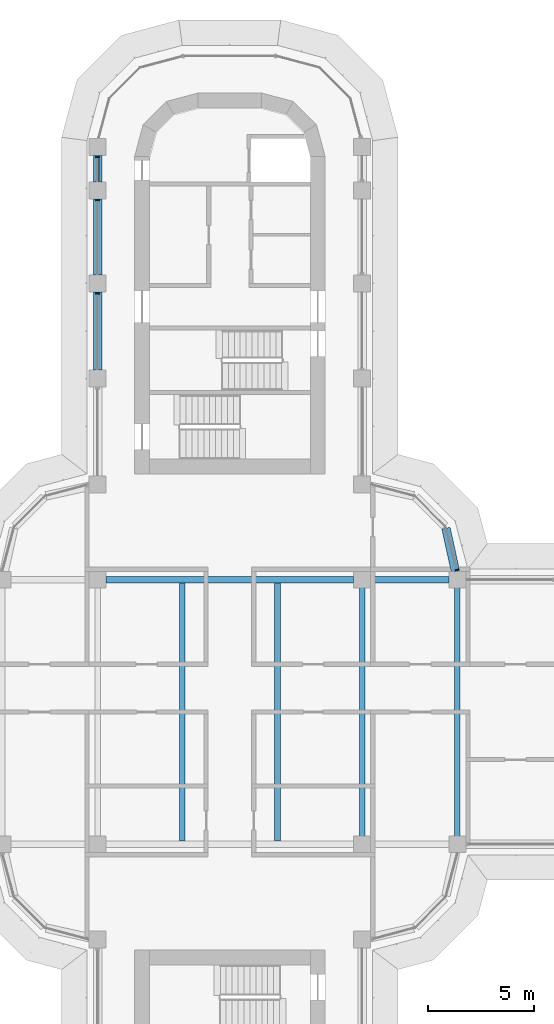
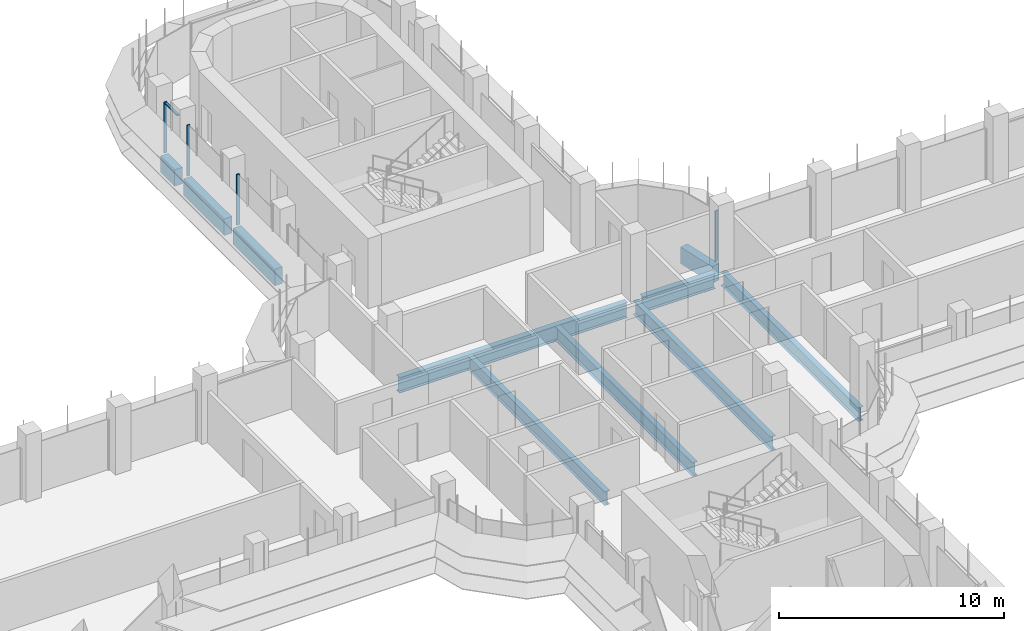
# One storey, part 7 of 19: 10 beams, 5 members, 2 elements without a shape of their own.
"""IFC4 building model written with IfcOpenShell, lengths in metres."""

from ifc_helpers import new_model, si_unit, direction, frame, origin, origin_2d, place, context, subcontext, project, spatial, polyline, rectangle, i_section, outline, extrude, source, transform, mapped, material, material_profile, profile_set, type_object, element, aggregate, save


model = new_model("IFC4")

# Units and contexts
model_context = context("Model", 3, precision=1e-05, world=origin(), true_north=direction((0.0, 1.0)))
body_context = subcontext(model_context, "Body", "Model", "MODEL_VIEW")
ifc_project = project(units=[si_unit("LENGTHUNIT", "METRE"), si_unit("AREAUNIT", "SQUARE_METRE"), si_unit("VOLUMEUNIT", "CUBIC_METRE"), si_unit("PLANEANGLEUNIT", "RADIAN"), si_unit("MASSUNIT", "GRAM", prefix="KILO")], contexts=[model_context])

# Site, building, storey
site_placement = place(None, origin())
site = spatial("IfcSite", under=ifc_project, at=site_placement, CompositionType="ELEMENT")
building_placement = place(site_placement, origin())
building = spatial("IfcBuilding", under=site, at=building_placement, Name="Zarbagh Exchange Tower", CompositionType="ELEMENT")
storey_placement = place(building_placement, frame((0.0, 0.0, 182.800048828125)))
storey = spatial("IfcBuildingStorey", under=building, at=storey_placement, Name="L44", CompositionType="ELEMENT", Elevation=182.800048828125)

# Beams
ifc_material_1 = material(Name="Steel ASTM A992 Gr 50", Category="steel")
ifc_material_profile_1 = material_profile(ifc_material_1, i_section(OverallWidth=0.26416015625, OverallDepth=0.749267578125, WebThickness=0.011962890625, FlangeThickness=0.015380859375, at=origin_2d()), Name="W30X90")
ifc_profile_set_1 = profile_set([ifc_material_profile_1], Name="Steel ASTM A992 Gr 50")
beam_type_1 = type_object("IfcBeamType", Name="Floor beam W30X90", PredefinedType="BEAM", material=ifc_profile_set_1)
for number, where, z_axis, x_axis, name in (
    (1, (-2.25, -6.10400390625, -0.524658203125), (0.0, 1.0, 0.0), (-1.0, 0.0, 0.0), "Steel floor beam"),
    (2, (2.25, -6.10400390625, -0.524658203125), (0.0, 1.0, 0.0), (-1.0, 0.0, 0.0), "Steel floor beam"),
    (3, (6.25, -6.10400390625, -0.524658203125), (0.0, 1.0, 0.0), (-1.0, 0.0, 0.0), "Steel floor beam"),
    (4, (10.75, -6.10400390625, -0.524658203125), (0.0, 1.0, 0.0), (-1.0, 0.0, 0.0), "Steel floor beam"),
):
    element("IfcBeam", number, at=place(storey_placement, frame(where, z_axis=z_axis, x_axis=x_axis)), inside=storey, type_object=beam_type_1, Name=name, PredefinedType="BEAM", context=body_context, shape_type="SweptSolid", body=[
        extrude(i_section(OverallWidth=0.26416015625, OverallDepth=0.749267578125, WebThickness=0.011962890625, FlangeThickness=0.015380859375, at=origin_2d()), origin(), (0.0, 0.0, 1.0), 12.2080078125),
    ])
ifc_material_profile_2 = material_profile(ifc_material_1, i_section(OverallWidth=0.2919921875, OverallDepth=0.835693359375, WebThickness=0.013916015625, FlangeThickness=0.018798828125, at=origin_2d()), Name="W33X118")
ifc_profile_set_2 = profile_set([ifc_material_profile_2], Name="Steel ASTM A992 Gr 50")
beam_type_2 = type_object("IfcBeamType", Name="Floor girder W33X118", PredefinedType="BEAM", material=ifc_profile_set_2)
beam_1_placement = place(storey_placement, frame((-5.85009765625, 6.25, -0.56787109375), z_axis=(1.0, 0.0, 0.0), x_axis=(0.0, 1.0, 0.0)))
element("IfcBeam", 5, at=beam_1_placement, inside=storey, type_object=beam_type_2, Name="Steel girder", PredefinedType="BEAM", context=body_context, shape_type="SweptSolid", body=[
    extrude(i_section(OverallWidth=0.2919921875, OverallDepth=0.835693359375, WebThickness=0.013916015625, FlangeThickness=0.018798828125, at=origin_2d()), origin(), (0.0, 0.0, 1.0), 11.7001953125),
])
beam_2_placement = place(storey_placement, frame((6.64990234375, 6.25, -0.56787109375), z_axis=(1.0, 0.0, 0.0), x_axis=(0.0, 1.0, 0.0)))
element("IfcBeam", 6, at=beam_2_placement, inside=storey, type_object=beam_type_2, Name="Steel girder", PredefinedType="BEAM", context=body_context, shape_type="SweptSolid", body=[
    extrude(i_section(OverallWidth=0.2919921875, OverallDepth=0.835693359375, WebThickness=0.013916015625, FlangeThickness=0.018798828125, at=origin_2d()), origin(), (0.0, 0.0, 1.0), 3.7001953125),
])
ifc_material_2 = material(Name="Concrete C50/60", Category="concrete")
ifc_material_profile_3 = material_profile(ifc_material_2, rectangle(XDim=0.39990234375, YDim=0.89990234375, at=origin_2d()), Name="RC spandrel beam 400 x 900 C50/60")
ifc_profile_set_3 = profile_set([ifc_material_profile_3], Name="Concrete C50/60")
beam_type_3 = type_object("IfcBeamType", Name="RC spandrel beam 400 x 900 C50/60", PredefinedType="SPANDREL", material=ifc_profile_set_3)
beam_3_placement = place(storey_placement, frame((-6.25, 16.14990234375, -0.60009765625), z_axis=(0.0, 1.0, 0.0), x_axis=(-1.0, 0.0, 0.0)))
element("IfcBeam", 7, at=beam_3_placement, inside=storey, type_object=beam_type_3, Name="RC spandrel beam", PredefinedType="SPANDREL", context=body_context, shape_type="SweptSolid", body=[
    extrude(rectangle(XDim=0.39990234375, YDim=0.89990234375, at=origin_2d()), origin(), (0.0, 0.0, 1.0), 3.7001953125),
])
beam_4_placement = place(storey_placement, frame((-6.25, 20.64990234375, -0.60009765625), z_axis=(0.0, 1.0, 0.0), x_axis=(-1.0, 0.0, 0.0)))
element("IfcBeam", 8, at=beam_4_placement, inside=storey, type_object=beam_type_3, Name="RC spandrel beam", PredefinedType="SPANDREL", context=body_context, shape_type="SweptSolid", body=[
    extrude(rectangle(XDim=0.39990234375, YDim=0.89990234375, at=origin_2d()), origin(), (0.0, 0.0, 1.0), 3.60009765625),
])
beam_5_placement = place(storey_placement, frame((-6.25, 25.050048828125, -0.60009765625), z_axis=(0.0, 1.0, 0.0), x_axis=(-1.0, 0.0, 0.0)))
element("IfcBeam", 9, at=beam_5_placement, inside=storey, type_object=beam_type_3, Name="RC spandrel beam", PredefinedType="SPANDREL", context=body_context, shape_type="SweptSolid", body=[
    extrude(rectangle(XDim=0.39990234375, YDim=0.89990234375, at=origin_2d()), origin(), (0.0, 0.0, 1.0), 1.25),
])
beam_6_placement = place(storey_placement, frame((10.21142578125, 8.68408203125, -0.60009765625), z_axis=(0.216041061437, -0.976384278741, 0.0), x_axis=(0.976384278741, 0.216041061437, 0.0)))
element("IfcBeam", 10, at=beam_6_placement, inside=storey, type_object=beam_type_3, Name="RC spandrel beam", PredefinedType="SPANDREL", context=body_context, shape_type="SweptSolid", body=[
    extrude(rectangle(XDim=0.39990234375, YDim=0.89990234375, at=origin_2d()), origin(), (0.0, 0.0, 1.0), 2.0927734375),
])

# Curtain wall, member
ifc_material_3 = material(Name="Anodised aluminium frame and glazing", Category="aluminium")
curtain_wall_type = type_object("IfcCurtainWallType", Name="CWB Ribbon glazing, upper zones", PredefinedType="NOTDEFINED", material=ifc_material_3)
curtain_wall_1_placement = place(storey_placement, origin())
curtain_wall_1 = element("IfcCurtainWall", 11, at=curtain_wall_1_placement, inside=storey, type_object=curtain_wall_type, Name="CWB17 curtain wall", PredefinedType="NOTDEFINED")
ifc_material_4 = material(Name="Anodised aluminium frame", Category="aluminium")
member_type_1 = type_object("IfcMemberType", Name="MUB Mullion, anodised aluminium frame", PredefinedType="MULLION", material=ifc_material_4)
shared_shape_1 = source(origin(), body_context, "Body", "SweptSolid", [
    extrude(outline(polyline([(0.0, -0.080078125), (0.06005859375, -0.080078125), (0.06005859375, 0.080078125), (0.0, 0.080078125), (0.0, -0.080078125)])), origin(), (0.0, 0.0, 1.0), 2.75),
])
placement = place(storey_placement, origin())
member_1 = element("IfcMember", 12, at=placement, type_object=member_type_1, Name="CWB17 mullion 1.1", PredefinedType="MULLION", context=body_context, shape_type="MappedRepresentation", body=[
    mapped(shared_shape_1, transform((10.74853515625, 6.68994140625, 0.0), x_axis=(-0.258824779902, 0.965924289636, 0.0), y_axis=(-0.965924289636, -0.258824779902, 0.0), z_axis=(0.0, 0.0, 1.0))),
])
aggregate(curtain_wall_1, [member_1])

# Curtain wall, members
curtain_wall_2_placement = place(storey_placement, origin())
curtain_wall_2 = element("IfcCurtainWall", 13, at=curtain_wall_2_placement, inside=storey, type_object=curtain_wall_type, Name="CWB28 curtain wall", PredefinedType="NOTDEFINED")
member_2 = element("IfcMember", 14, at=placement, type_object=member_type_1, Name="CWB28 mullion 1.1", PredefinedType="MULLION", context=body_context, shape_type="MappedRepresentation", body=[
    mapped(shared_shape_1, transform((-6.25, 26.260009765625, 0.0), x_axis=(0.0, -1.0, 0.0), y_axis=(1.0, 0.0, 0.0), z_axis=(0.0, 0.0, 1.0))),
])
member_3 = element("IfcMember", 15, at=placement, type_object=member_type_1, Name="CWB28 mullion 2.1", PredefinedType="MULLION", context=body_context, shape_type="MappedRepresentation", body=[
    mapped(shared_shape_1, transform((-6.25, 24.2099609375, 0.0), x_axis=(0.0, -1.0, 0.0), y_axis=(1.0, 0.0, 0.0), z_axis=(0.0, 0.0, 1.0))),
])
member_4 = element("IfcMember", 16, at=placement, type_object=member_type_1, Name="CWB28 mullion 3.1", PredefinedType="MULLION", context=body_context, shape_type="MappedRepresentation", body=[
    mapped(shared_shape_1, transform((-6.25, 19.81005859375, 0.0), x_axis=(0.0, -1.0, 0.0), y_axis=(1.0, 0.0, 0.0), z_axis=(0.0, 0.0, 1.0))),
])
member_type_2 = type_object("IfcMemberType", Name="TRB Transom, anodised aluminium frame", PredefinedType="USERDEFINED", material=ifc_material_4)
shared_shape_2 = source(origin(), body_context, "Body", "SweptSolid", [
    extrude(outline(polyline([(-0.06005859375, -0.06005859375), (0.0, -0.06005859375), (0.0, 0.06005859375), (-0.06005859375, 0.06005859375), (-0.06005859375, -0.06005859375)])), origin(), (0.0, 0.0, 1.0), 1.110107421875),
])
member_5 = element("IfcMember", 17, at=placement, type_object=member_type_2, Name="CWB28 transom 1.1", ObjectType="TRANSOM", PredefinedType="USERDEFINED", context=body_context, shape_type="MappedRepresentation", body=[
    mapped(shared_shape_2, transform((-6.25, 26.199951171875, 2.75), x_axis=(0.0, 0.0, 1.0), y_axis=(-1.0, 0.0, 0.0), z_axis=(0.0, -1.0, 0.0))),
])
aggregate(curtain_wall_2, [member_2, member_5, member_3, member_4])

save(model, "model.ifc")
